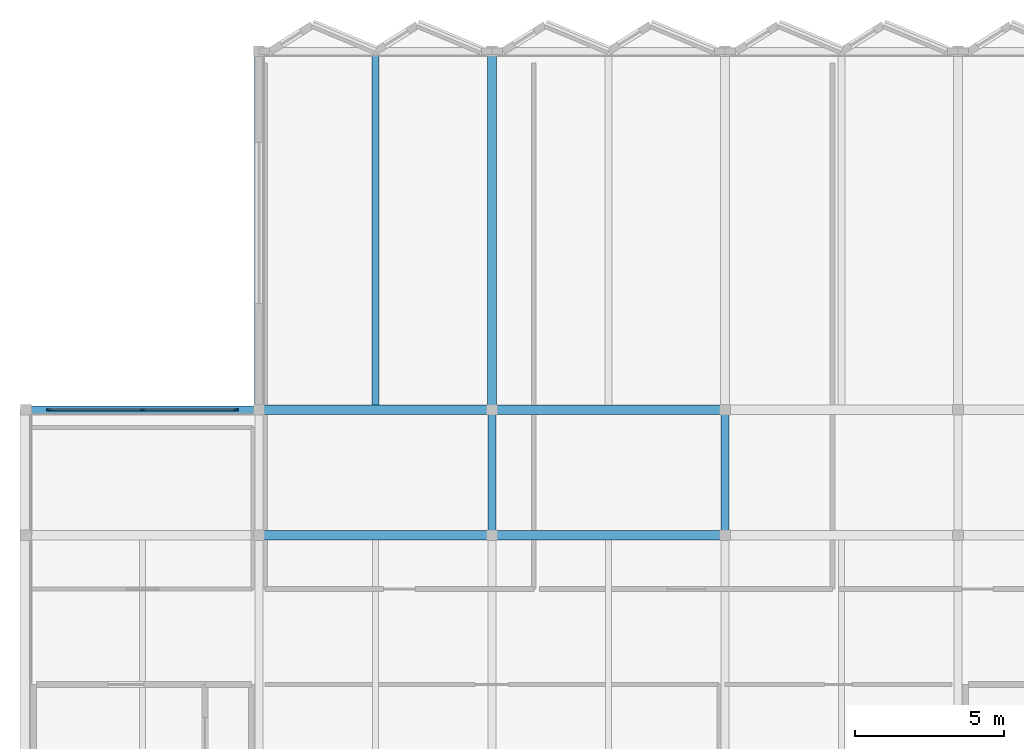
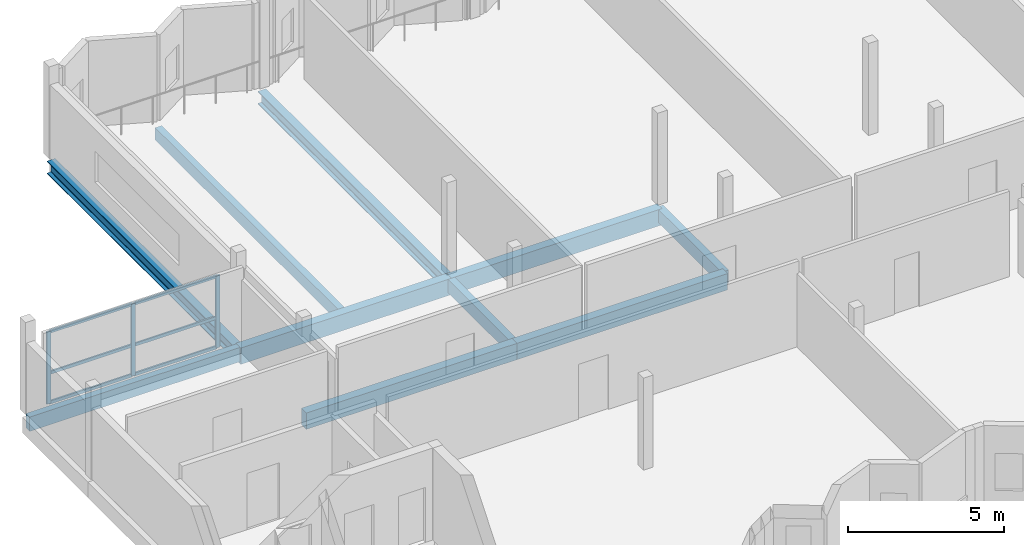
# One storey, part 2 of 11: 10 beams, 9 members, 1 element without a shape of its own.
"""IFC4 building model written with IfcOpenShell, lengths in metres."""

from ifc_helpers import new_model, si_unit, direction, frame, origin, origin_2d, place, context, subcontext, project, spatial, rectangle, i_section, extrude, material, material_profile, profile_set, type_object, element, aggregate, save


model = new_model("IFC4")

# Units and contexts
model_context = context("Model", 3, precision=1e-05, world=origin(), true_north=direction((0.0, 1.0)))
body_context = subcontext(model_context, "Body", "Model", "MODEL_VIEW")
ifc_project = project(units=[si_unit("LENGTHUNIT", "METRE"), si_unit("AREAUNIT", "SQUARE_METRE"), si_unit("VOLUMEUNIT", "CUBIC_METRE"), si_unit("PLANEANGLEUNIT", "RADIAN"), si_unit("MASSUNIT", "GRAM", prefix="KILO")], contexts=[model_context])

# Site, building, storey
site_placement = place(None, origin())
site = spatial("IfcSite", under=ifc_project, at=site_placement, CompositionType="ELEMENT")
building_placement = place(site_placement, origin())
building = spatial("IfcBuilding", under=site, at=building_placement, Name="Vharandega Faculty of Natural Sciences", CompositionType="ELEMENT")
storey_placement = place(building_placement, frame((0.0, 0.0, 39.60009765625)))
storey = spatial("IfcBuildingStorey", under=building, at=storey_placement, Name="L10", CompositionType="ELEMENT", Elevation=39.60009765625)

# Curtain wall, members
ifc_material_1 = material(Name="Aluminium and solar-control glass curtain wall", Category="aluminium")
curtain_wall_type = type_object("IfcCurtainWallType", Name="Unitised Curtain Wall System CW-04", PredefinedType="NOTDEFINED", material=ifc_material_1)
curtain_wall_placement = place(storey_placement, origin())
curtain_wall = element("IfcCurtainWall", 1, at=curtain_wall_placement, inside=storey, type_object=curtain_wall_type, Name="Curtain Wall CW-L10-031", PredefinedType="NOTDEFINED")
ifc_material_2 = material(Name="Thermally broken aluminium 6063-T6", Category="aluminium")
ifc_material_profile_1 = material_profile(ifc_material_2, rectangle(XDim=0.06005859375, YDim=0.159912109375, at=origin_2d()), Name="ALU 60x160")
ifc_profile_set_1 = profile_set([ifc_material_profile_1], Name="Thermally broken aluminium 6063-T6")
member_type_1 = type_object("IfcMemberType", Name="CW Mullion 60x160", PredefinedType="MULLION", material=ifc_profile_set_1)
member_1_placement = place(storey_placement, frame((115.570068359375, 85.0, 0.0), z_axis=(0.0, 0.0, 1.0), x_axis=(0.0, 1.0, 0.0)))
member_1 = element("IfcMember", 2, at=member_1_placement, type_object=member_type_1, Name="CW-04 mullion 1", PredefinedType="MULLION", context=body_context, shape_type="SweptSolid", body=[
    extrude(rectangle(XDim=0.06005859375, YDim=0.159912109375, at=origin_2d()), origin(), (0.0, 0.0, 1.0), 2.829833984375),
])
member_2_placement = place(storey_placement, frame((118.699951171875, 85.0, 0.0), z_axis=(0.0, 0.0, 1.0), x_axis=(0.0, 1.0, 0.0)))
member_2 = element("IfcMember", 3, at=member_2_placement, type_object=member_type_1, Name="CW-04 mullion 2", PredefinedType="MULLION", context=body_context, shape_type="SweptSolid", body=[
    extrude(rectangle(XDim=0.06005859375, YDim=0.159912109375, at=origin_2d()), origin(), (0.0, 0.0, 1.0), 2.829833984375),
])
member_3_placement = place(storey_placement, frame((121.830078125, 85.0, 0.0), z_axis=(0.0, 0.0, 1.0), x_axis=(0.0, 1.0, 0.0)))
member_3 = element("IfcMember", 4, at=member_3_placement, type_object=member_type_1, Name="CW-04 mullion 3", PredefinedType="MULLION", context=body_context, shape_type="SweptSolid", body=[
    extrude(rectangle(XDim=0.06005859375, YDim=0.159912109375, at=origin_2d()), origin(), (0.0, 0.0, 1.0), 2.829833984375),
])
ifc_material_3 = material(Name="Thermally broken aluminium 6063-T6", Category="aluminium")
ifc_material_profile_2 = material_profile(ifc_material_3, rectangle(XDim=0.06005859375, YDim=0.1201171875, at=origin_2d()), Name="ALU 60x120")
ifc_profile_set_2 = profile_set([ifc_material_profile_2], Name="Thermally broken aluminium 6063-T6")
member_type_2 = type_object("IfcMemberType", Name="CW Transom 60x120", PredefinedType="USERDEFINED", material=ifc_profile_set_2)
member_4_placement = place(storey_placement, frame((115.60009765625, 85.0, 0.02978515625), z_axis=(1.0, 0.0, 0.0), x_axis=(0.0, 1.0, 0.0)))
member_4 = element("IfcMember", 5, at=member_4_placement, type_object=member_type_2, Name="CW-04 transom 1.1", ObjectType="TRANSOM", PredefinedType="USERDEFINED", context=body_context, shape_type="SweptSolid", body=[
    extrude(rectangle(XDim=0.06005859375, YDim=0.1201171875, at=origin_2d()), origin(), (0.0, 0.0, 1.0), 3.06982421875),
])
member_5_placement = place(storey_placement, frame((115.60009765625, 85.0, 1.1884765625), z_axis=(1.0, 0.0, 0.0), x_axis=(0.0, 1.0, 0.0)))
member_5 = element("IfcMember", 6, at=member_5_placement, type_object=member_type_2, Name="CW-04 transom 1.2", ObjectType="TRANSOM", PredefinedType="USERDEFINED", context=body_context, shape_type="SweptSolid", body=[
    extrude(rectangle(XDim=0.06005859375, YDim=0.1201171875, at=origin_2d()), origin(), (0.0, 0.0, 1.0), 3.06982421875),
])
member_6_placement = place(storey_placement, frame((115.60009765625, 85.0, 2.7998046875), z_axis=(1.0, 0.0, 0.0), x_axis=(0.0, 1.0, 0.0)))
member_6 = element("IfcMember", 7, at=member_6_placement, type_object=member_type_2, Name="CW-04 transom 1.3", ObjectType="TRANSOM", PredefinedType="USERDEFINED", context=body_context, shape_type="SweptSolid", body=[
    extrude(rectangle(XDim=0.06005859375, YDim=0.1201171875, at=origin_2d()), origin(), (0.0, 0.0, 1.0), 3.06982421875),
])
member_7_placement = place(storey_placement, frame((118.72998046875, 85.0, 0.02978515625), z_axis=(1.0, 0.0, 0.0), x_axis=(0.0, 1.0, 0.0)))
member_7 = element("IfcMember", 8, at=member_7_placement, type_object=member_type_2, Name="CW-04 transom 2.1", ObjectType="TRANSOM", PredefinedType="USERDEFINED", context=body_context, shape_type="SweptSolid", body=[
    extrude(rectangle(XDim=0.06005859375, YDim=0.1201171875, at=origin_2d()), origin(), (0.0, 0.0, 1.0), 3.070068359375),
])
member_8_placement = place(storey_placement, frame((118.72998046875, 85.0, 1.1884765625), z_axis=(1.0, 0.0, 0.0), x_axis=(0.0, 1.0, 0.0)))
member_8 = element("IfcMember", 9, at=member_8_placement, type_object=member_type_2, Name="CW-04 transom 2.2", ObjectType="TRANSOM", PredefinedType="USERDEFINED", context=body_context, shape_type="SweptSolid", body=[
    extrude(rectangle(XDim=0.06005859375, YDim=0.1201171875, at=origin_2d()), origin(), (0.0, 0.0, 1.0), 3.070068359375),
])
member_9_placement = place(storey_placement, frame((118.72998046875, 85.0, 2.7998046875), z_axis=(1.0, 0.0, 0.0), x_axis=(0.0, 1.0, 0.0)))
member_9 = element("IfcMember", 10, at=member_9_placement, type_object=member_type_2, Name="CW-04 transom 2.3", ObjectType="TRANSOM", PredefinedType="USERDEFINED", context=body_context, shape_type="SweptSolid", body=[
    extrude(rectangle(XDim=0.06005859375, YDim=0.1201171875, at=origin_2d()), origin(), (0.0, 0.0, 1.0), 3.070068359375),
])
aggregate(curtain_wall, [member_1, member_2, member_3, member_4, member_5, member_6, member_7, member_8, member_9])

# Beams
ifc_material_4 = material(Name="Glulam GL28h", Category="wood")
ifc_material_profile_3 = material_profile(ifc_material_4, rectangle(XDim=0.260009765625, YDim=0.52001953125, at=origin_2d()), Name="GL28h 260x520")
ifc_profile_set_3 = profile_set([ifc_material_profile_3], Name="Glulam GL28h")
beam_type_1 = type_object("IfcBeamType", Name="Glulam Floor Beam 260x520", PredefinedType="BEAM", material=ifc_profile_set_3)
for number, where, z_axis, x_axis, name in (
    (11, (130.39990234375, 80.800048828125, -0.460205078125), (0.0, 1.0, 0.0), (-1.0, 0.0, 0.0), "Beam L10 17/L-M"),
    (12, (138.199951171875, 80.800048828125, -0.460205078125), (0.0, 1.0, 0.0), (-1.0, 0.0, 0.0), "Beam L10 18/L-M"),
):
    element("IfcBeam", number, at=place(storey_placement, frame(where, z_axis=z_axis, x_axis=x_axis)), inside=storey, type_object=beam_type_1, Name=name, PredefinedType="BEAM", context=body_context, shape_type="SweptSolid", body=[
        extrude(rectangle(XDim=0.260009765625, YDim=0.52001953125, at=origin_2d()), origin(), (0.0, 0.0, 1.0), 4.199951171875),
    ])
ifc_material_5 = material(Name="Glulam GL28h", Category="wood")
ifc_material_profile_4 = material_profile(ifc_material_5, rectangle(XDim=0.320068359375, YDim=0.639892578125, at=origin_2d()), Name="GL28h 320x640")
ifc_profile_set_4 = profile_set([ifc_material_profile_4], Name="Glulam GL28h")
beam_type_2 = type_object("IfcBeamType", Name="Glulam Floor Beam 320x640", PredefinedType="BEAM", material=ifc_profile_set_4)
beam_1_placement = place(storey_placement, frame((122.60009765625, 80.800048828125, -0.52001953125), z_axis=(1.0, 0.0, 0.0), x_axis=(0.0, 1.0, 0.0)))
element("IfcBeam", 13, at=beam_1_placement, inside=storey, type_object=beam_type_2, Name="Beam L10 L/16-17", PredefinedType="BEAM", context=body_context, shape_type="SweptSolid", body=[
    extrude(rectangle(XDim=0.320068359375, YDim=0.639892578125, at=origin_2d()), origin(), (0.0, 0.0, 1.0), 7.7998046875),
])
beam_2_placement = place(storey_placement, frame((130.39990234375, 80.800048828125, -0.52001953125), z_axis=(1.0, 0.0, 0.0), x_axis=(0.0, 1.0, 0.0)))
element("IfcBeam", 14, at=beam_2_placement, inside=storey, type_object=beam_type_2, Name="Beam L10 L/17-18", PredefinedType="BEAM", context=body_context, shape_type="SweptSolid", body=[
    extrude(rectangle(XDim=0.320068359375, YDim=0.639892578125, at=origin_2d()), origin(), (0.0, 0.0, 1.0), 7.800048828125),
])
beam_3_placement = place(storey_placement, frame((122.60009765625, 85.0, -0.52001953125), z_axis=(1.0, 0.0, 0.0), x_axis=(0.0, 1.0, 0.0)))
element("IfcBeam", 15, at=beam_3_placement, inside=storey, type_object=beam_type_2, Name="Beam L10 M/16-17", PredefinedType="BEAM", context=body_context, shape_type="SweptSolid", body=[
    extrude(rectangle(XDim=0.320068359375, YDim=0.639892578125, at=origin_2d()), origin(), (0.0, 0.0, 1.0), 7.7998046875),
])
beam_4_placement = place(storey_placement, frame((130.39990234375, 85.0, -0.52001953125), z_axis=(1.0, 0.0, 0.0), x_axis=(0.0, 1.0, 0.0)))
element("IfcBeam", 16, at=beam_4_placement, inside=storey, type_object=beam_type_2, Name="Beam L10 M/17-18", PredefinedType="BEAM", context=body_context, shape_type="SweptSolid", body=[
    extrude(rectangle(XDim=0.320068359375, YDim=0.639892578125, at=origin_2d()), origin(), (0.0, 0.0, 1.0), 7.800048828125),
])
ifc_material_6 = material(Name="Glulam GL28h", Category="wood")
ifc_material_profile_5 = material_profile(ifc_material_6, rectangle(XDim=0.239990234375, YDim=0.47998046875, at=origin_2d()), Name="GL28h 240x480")
ifc_profile_set_5 = profile_set([ifc_material_profile_5], Name="Glulam GL28h")
beam_type_3 = type_object("IfcBeamType", Name="Glulam Secondary Joist 240x480", PredefinedType="JOIST", material=ifc_profile_set_5)
beam_5_placement = place(storey_placement, frame((126.5, 85.159912109375, -0.440185546875), z_axis=(0.0, 1.0, 0.0), x_axis=(-1.0, 0.0, 0.0)))
element("IfcBeam", 17, at=beam_5_placement, inside=storey, type_object=beam_type_3, Name="Secondary Joist L10 16-17/M-N", PredefinedType="JOIST", context=body_context, shape_type="SweptSolid", body=[
    extrude(rectangle(XDim=0.239990234375, YDim=0.47998046875, at=origin_2d()), origin(), (0.0, 0.0, 1.0), 11.719970703125),
])
ifc_material_7 = material(Name="Glulam GL28h", Category="wood")
ifc_material_profile_6 = material_profile(ifc_material_7, rectangle(XDim=0.239990234375, YDim=0.56005859375, at=origin_2d()), Name="GL28h 240x560")
ifc_profile_set_6 = profile_set([ifc_material_profile_6], Name="Glulam GL28h")
beam_type_4 = type_object("IfcBeamType", Name="Glulam Spandrel Edge Beam 240x560", PredefinedType="SPANDREL", material=ifc_profile_set_6)
beam_6_placement = place(storey_placement, frame((114.800048828125, 85.0, -0.47998046875), z_axis=(1.0, 0.0, 0.0), x_axis=(0.0, 1.0, 0.0)))
element("IfcBeam", 18, at=beam_6_placement, inside=storey, type_object=beam_type_4, Name="Beam L10 M/15-16", PredefinedType="SPANDREL", context=body_context, shape_type="SweptSolid", body=[
    extrude(rectangle(XDim=0.239990234375, YDim=0.56005859375, at=origin_2d()), origin(), (0.0, 0.0, 1.0), 7.800048828125),
])
ifc_material_8 = material(Name="Steel S355", Category="steel")
ifc_material_profile_7 = material_profile(ifc_material_8, i_section(OverallWidth=0.300048828125, OverallDepth=0.5, WebThickness=0.014404296875, FlangeThickness=0.028076171875, FilletRadius=0.027099609375, at=origin_2d()), Name="HEB 500")
ifc_profile_set_7 = profile_set([ifc_material_profile_7], Name="Steel S355")
beam_type_5 = type_object("IfcBeamType", Name="Steel Collector Beam HEB 500", PredefinedType="BEAM", material=ifc_profile_set_7)
for number, where, z_axis, x_axis, name in (
    (19, (122.60009765625, 85.0, -0.4501953125), (0.0, 1.0, 0.0), (-1.0, 0.0, 0.0), "Beam L10 16/M-N"),
    (20, (130.39990234375, 85.0, -0.4501953125), (0.0, 1.0, 0.0), (-1.0, 0.0, 0.0), "Beam L10 17/M-N"),
):
    element("IfcBeam", number, at=place(storey_placement, frame(where, z_axis=z_axis, x_axis=x_axis)), inside=storey, type_object=beam_type_5, Name=name, PredefinedType="BEAM", context=body_context, shape_type="SweptSolid", body=[
        extrude(i_section(OverallWidth=0.300048828125, OverallDepth=0.5, WebThickness=0.014404296875, FlangeThickness=0.028076171875, FilletRadius=0.027099609375, at=origin_2d()), origin(), (0.0, 0.0, 1.0), 12.0),
    ])

save(model, "model.ifc")
